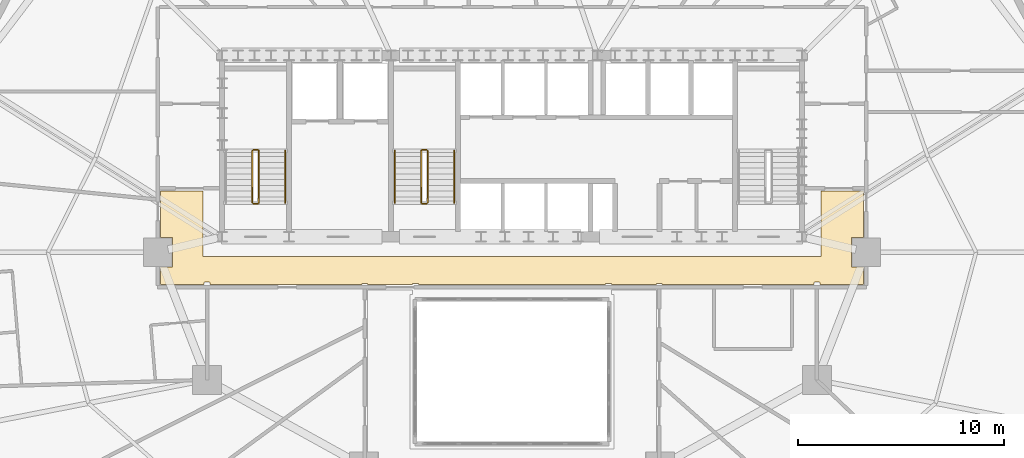
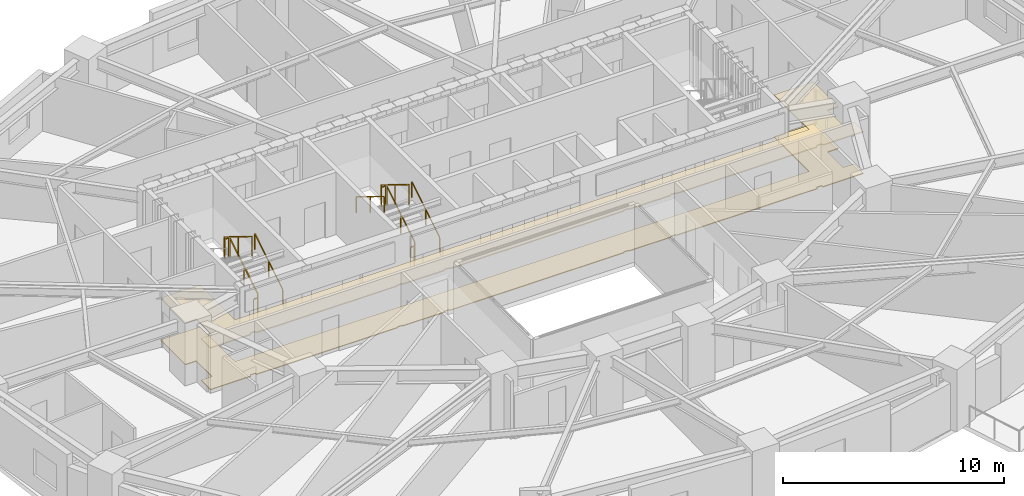
# One storey, part 14 of 15: 11 railings, 2 coverings.
"""IFC4 building model written with IfcOpenShell, lengths in metres."""

import ifcopenshell
import ifcopenshell.guid

model = None  # the IFC model being written
_history = None  # IfcOwnerHistory: only IFC2X3 demands one
_inside = {}  # id of a spatial element -> (the spatial element, [elements in it])
_under = {}  # id of a project, library or spatial element -> (it, [spatial elements below it])
_declared = {}  # id of a project -> (the project, [libraries it declares])
_typed = {}  # id of a type object -> (the type object, [elements of that type])
_made_of = {}  # id of a material, layer set ... -> (it, [elements and type objects made of it])


def new_model(schema):
    """Start an empty IFC model of exactly this schema.

    Asked for "IFC4X3", IfcOpenShell would pick the latest addendum, in which some entities
    have other attributes; the version numbers below select the first issue.
    IFC2X3 requires an IfcOwnerHistory on every rooted entity: one is made here for all.
    """
    global model, _history
    if schema == "IFC4X3":
        model = ifcopenshell.file(schema_version=(4, 3, 0, 0))
    else:
        model = ifcopenshell.file(schema=schema)
    _inside.clear()
    _under.clear()
    _declared.clear()
    _typed.clear()
    _made_of.clear()
    _history = None
    if model.schema == "IFC2X3":
        org = make("IfcOrganization", Name="unknown")
        user = make(
            "IfcPersonAndOrganization",
            ThePerson=make("IfcPerson", FamilyName="unknown"),
            TheOrganization=org,
        )
        app = make(
            "IfcApplication",
            ApplicationDeveloper=org,
            Version="unknown",
            ApplicationFullName="unknown",
            ApplicationIdentifier="unknown",
        )
        _history = make(
            "IfcOwnerHistory",
            OwningUser=user,
            OwningApplication=app,
            ChangeAction="ADDED",
            CreationDate=0,
        )
    return model


def make(cls, **values):
    """One entity of the class cls with the attributes given. An attribute that is None is left unset."""
    return model.create_entity(
        cls, **{name: value for name, value in values.items() if value is not None}
    )


def rooted(cls, **values):
    """An entity with a GlobalId (a new one), such as an element, a storey or a relation."""
    return make(cls, GlobalId=ifcopenshell.guid.new(), OwnerHistory=_history, **values)


def si_unit(unit_type, name, prefix=None):
    """IfcSIUnit, for example si_unit("LENGTHUNIT", "METRE", prefix="MILLI")."""
    return make("IfcSIUnit", UnitType=unit_type, Prefix=prefix, Name=name)


def assignment(units):
    """IfcUnitAssignment: the units of a project."""
    return None if units is None else make("IfcUnitAssignment", Units=units)


def point(xyz):
    """IfcCartesianPoint."""
    return None if xyz is None else make("IfcCartesianPoint", Coordinates=xyz)


def direction(xyz):
    """IfcDirection."""
    return None if xyz is None else make("IfcDirection", DirectionRatios=xyz)


def frame(location, z_axis=None, x_axis=None):
    """IfcAxis2Placement3D, a coordinate frame: its origin and axes. An axis left out is left unset."""
    return make(
        "IfcAxis2Placement3D",
        Location=point(location),
        Axis=direction(z_axis),
        RefDirection=direction(x_axis),
    )


def frame_2d(location, x_axis=None):
    """IfcAxis2Placement2D, a coordinate frame in the plane: its origin and x axis."""
    return make(
        "IfcAxis2Placement2D", Location=point(location), RefDirection=direction(x_axis)
    )


def origin():
    """The frame at (0, 0, 0) with its axes left unset."""
    return frame((0.0, 0.0, 0.0))


def origin_2d():
    """The frame at (0, 0) in the plane with its x axis left unset."""
    return frame_2d((0.0, 0.0))


def place(relative_to, where):
    """IfcLocalPlacement: puts the frame where relative to a parent placement (None: the world)."""
    return make(
        "IfcLocalPlacement", PlacementRelTo=relative_to, RelativePlacement=where
    )


def context(
    kind, dimensions, precision=None, world=None, true_north=None, identifier=None
):
    """IfcGeometricRepresentationContext, for example the 3D "Model" context."""
    return make(
        "IfcGeometricRepresentationContext",
        ContextIdentifier=identifier,
        ContextType=kind,
        CoordinateSpaceDimension=dimensions,
        Precision=precision,
        WorldCoordinateSystem=world,
        TrueNorth=true_north,
    )


def subcontext(parent, identifier, kind, view, scale=None):
    """IfcGeometricRepresentationSubContext, for example "Body" below "Model"."""
    return make(
        "IfcGeometricRepresentationSubContext",
        ContextIdentifier=identifier,
        ContextType=kind,
        ParentContext=parent,
        TargetScale=scale,
        TargetView=view,
    )


def project(units=None, contexts=None):
    """IfcProject with its units and contexts."""
    return rooted(
        "IfcProject",
        Name="project",
        RepresentationContexts=contexts,
        UnitsInContext=assignment(units),
    )


def spatial(cls, under=None, at=None, **own):
    """A site, building, storey or space (cls), placed at a placement, below another one or the project."""
    s = rooted(cls, ObjectPlacement=at, **own)
    if under is not None:
        _under.setdefault(under.id(), (under, []))[1].append(s)
    return s


def polyline(points):
    """IfcPolyline through the points."""
    return make("IfcPolyline", Points=[point(p) for p in points])


def profile(cls, at=None, kind="AREA", **sizes):
    """A parametric profile (cls). Its sizes go by their IFC names, for example OverallWidth=200.0."""
    return make(cls, ProfileType=kind, Position=at, **sizes)


def rectangle(**sizes):
    """IfcRectangleProfileDef."""
    return profile("IfcRectangleProfileDef", **sizes)


def outline(outer, holes=None, kind="AREA"):
    """IfcArbitraryClosedProfileDef: a profile drawn as a closed curve; with holes, ...WithVoids."""
    if holes is None:
        return make("IfcArbitraryClosedProfileDef", ProfileType=kind, OuterCurve=outer)
    return make(
        "IfcArbitraryProfileDefWithVoids",
        ProfileType=kind,
        OuterCurve=outer,
        InnerCurves=holes,
    )


def extrude(swept, where, along, depth):
    """IfcExtrudedAreaSolid: the profile swept, set in the frame where, extruded along a direction by depth."""
    return make(
        "IfcExtrudedAreaSolid",
        SweptArea=swept,
        Position=where,
        ExtrudedDirection=direction(along),
        Depth=depth,
    )


def shape(context_of_items, identifier, shape_type, items):
    """IfcShapeRepresentation: the items that make up one representation, for example the "Body"."""
    return make(
        "IfcShapeRepresentation",
        ContextOfItems=context_of_items,
        RepresentationIdentifier=identifier,
        RepresentationType=shape_type,
        Items=items,
    )


def material(Name=None, Category=None):
    """IfcMaterial."""
    return make("IfcMaterial", Name=Name, Category=Category)


def layer(
    of_material, thickness, ventilated=None, Name=None, Category=None, Priority=None
):
    """IfcMaterialLayer: one layer of a wall or slab, of a material (None: an air gap)."""
    return make(
        "IfcMaterialLayer",
        Material=of_material,
        LayerThickness=thickness,
        IsVentilated=ventilated,
        Name=Name,
        Category=Category,
        Priority=Priority,
    )


def layer_set(layers, Name=None):
    """IfcMaterialLayerSet."""
    return make("IfcMaterialLayerSet", MaterialLayers=layers, LayerSetName=Name)


def made_of(thing, what):
    """Note that an element or type object is made of a material, layer set ...; save() writes the relation."""
    if what is not None:
        _made_of.setdefault(what.id(), (what, []))[1].append(thing)
    return thing


def type_object(cls, material=None, **own):
    """A type object (cls), such as IfcWallType, which elements share."""
    return made_of(rooted(cls, **own), material)


def element(
    cls,
    number,
    at=None,
    inside=None,
    cuts=None,
    type_object=None,
    material=None,
    context=None,
    identifier="Body",
    shape_type=None,
    held_by="IfcProductDefinitionShape",
    body=None,
    shapes=None,
    **own,
):
    """One element of the class cls, such as IfcWall. Its Tag is "e" and its number.

    at: its placement. inside: the storey or other place that contains it. cuts: it is an
    opening in that element (IfcRelVoidsElement). A single representation is given by context,
    identifier, shape_type and body (its items); several are given by shapes. held_by: the class
    of the entity that holds the representations. save() writes the other relations.
    """
    e = rooted(cls, Tag="e%d" % number, ObjectPlacement=at, **own)
    if body is not None:
        shapes = [shape(context, identifier, shape_type, body)]
    if shapes is not None:
        e.Representation = make(held_by, Representations=shapes)
    if inside is not None:
        _inside.setdefault(inside.id(), (inside, []))[1].append(e)
    if cuts is not None:
        rooted(
            "IfcRelVoidsElement", RelatingBuildingElement=cuts, RelatedOpeningElement=e
        )
    if type_object is not None:
        _typed.setdefault(type_object.id(), (type_object, []))[1].append(e)
    return made_of(e, material)


def aggregate(whole, parts):
    """IfcRelAggregates: a whole, such as a stair, and the parts it consists of."""
    return rooted("IfcRelAggregates", RelatingObject=whole, RelatedObjects=parts)


def save(model, path):
    """Write the relations noted so far, then the file.

    IfcRelAggregates (storeys below a building ...), IfcRelContainedInSpatialStructure (elements
    in a storey), IfcRelDefinesByType, IfcRelAssociatesMaterial and IfcRelDeclares: one each for
    every whole, place, type object, material and project.
    """
    for whole, parts in _under.values():
        aggregate(whole, parts)
    for where, things in _inside.values():
        rooted(
            "IfcRelContainedInSpatialStructure",
            RelatedElements=things,
            RelatingStructure=where,
        )
    for kind, things in _typed.values():
        rooted("IfcRelDefinesByType", RelatedObjects=things, RelatingType=kind)
    for what, things in _made_of.values():
        rooted("IfcRelAssociatesMaterial", RelatedObjects=things, RelatingMaterial=what)
    for by, libraries in _declared.values():
        rooted("IfcRelDeclares", RelatingContext=by, RelatedDefinitions=libraries)
    model.write(path)


model = new_model("IFC4")

# Units and contexts
model_context = context("Model", 3, precision=1e-05, world=origin(), true_north=direction((0.0, 1.0)))
body_context = subcontext(model_context, "Body", "Model", "MODEL_VIEW")
ifc_project = project(units=[si_unit("LENGTHUNIT", "METRE"), si_unit("AREAUNIT", "SQUARE_METRE"), si_unit("VOLUMEUNIT", "CUBIC_METRE"), si_unit("PLANEANGLEUNIT", "RADIAN"), si_unit("MASSUNIT", "GRAM", prefix="KILO")], contexts=[model_context])

# Site, building, storey
site_placement = place(None, origin())
site = spatial("IfcSite", under=ifc_project, at=site_placement, CompositionType="ELEMENT")
building_placement = place(site_placement, origin())
building = spatial("IfcBuilding", under=site, at=building_placement, Name="Haldorwick Loom Tower", CompositionType="ELEMENT")
storey_placement = place(building_placement, frame((0.0, 0.0, 92.14990234375)))
storey = spatial("IfcBuildingStorey", under=building, at=storey_placement, Name="L24", CompositionType="ELEMENT", Elevation=92.14990234375)

# Coverings
ifc_material_1 = material(Name="Mineral Fibre Acoustic Ceiling Tile")
ifc_layer_1 = layer(ifc_material_1, 0.054931640625, Name="Mineral Fibre Acoustic Ceiling Tile")
ifc_layer_set_1 = layer_set([ifc_layer_1], Name="Mineral Fibre Acoustic Ceiling Tile")
covering_type_1 = type_object("IfcCoveringType", Name="ARC-COV-CEIL2", PredefinedType="CEILING", material=ifc_layer_set_1)
covering_1_placement = place(storey_placement, frame((0.0, 0.0, 2.302001953125)))
element("IfcCovering", 1, at=covering_1_placement, inside=storey, type_object=covering_type_1, Name="L24 Acoustic Suspended Ceiling 2", PredefinedType="CEILING", context=body_context, shape_type="SweptSolid", body=[
    extrude(outline(polyline([(51.0, 28.9599609375), (51.0, 25.800048828125), (21.0, 25.800048828125), (21.0, 28.9599609375), (18.93994140625, 28.9599609375), (18.93994140625, 26.7080078125), (19.508056640625, 26.7080078125), (19.508056640625, 25.2919921875), (18.93994140625, 25.2919921875), (18.93994140625, 24.43994140625), (21.06005859375, 24.43994140625), (21.06005859375, 24.52001953125), (21.06005859375, 24.52197265625), (21.060302734375, 24.52392578125), (21.060791015625, 24.52587890625), (21.0615234375, 24.527587890625), (21.0625, 24.529296875), (21.0634765625, 24.531005859375), (21.064453125, 24.53271484375), (21.06591796875, 24.5341796875), (21.0673828125, 24.535400390625), (21.06884765625, 24.53662109375), (21.070556640625, 24.53759765625), (21.072265625, 24.53857421875), (21.07421875, 24.5390625), (21.076171875, 24.53955078125), (21.077880859375, 24.539794921875), (21.080078125, 24.5400390625), (21.320068359375, 24.5400390625), (21.322021484375, 24.539794921875), (21.323974609375, 24.53955078125), (21.32568359375, 24.5390625), (21.32763671875, 24.53857421875), (21.329345703125, 24.53759765625), (21.3310546875, 24.53662109375), (21.332763671875, 24.535400390625), (21.333984375, 24.5341796875), (21.33544921875, 24.53271484375), (21.336669921875, 24.531005859375), (21.337646484375, 24.529296875), (21.33837890625, 24.527587890625), (21.339111328125, 24.52587890625), (21.339599609375, 24.52392578125), (21.33984375, 24.52197265625), (21.340087890625, 24.52001953125), (21.340087890625, 24.43994140625), (28.7099609375, 24.43994140625), (28.7099609375, 24.469970703125), (28.710205078125, 24.471923828125), (28.71044921875, 24.473876953125), (28.7109375, 24.475830078125), (28.71142578125, 24.477783203125), (28.71240234375, 24.4794921875), (28.71337890625, 24.481201171875), (28.714599609375, 24.482666015625), (28.7158203125, 24.484130859375), (28.71728515625, 24.485595703125), (28.718994140625, 24.486572265625), (28.720703125, 24.487548828125), (28.722412109375, 24.488525390625), (28.72412109375, 24.489013671875), (28.72607421875, 24.489501953125), (28.72802734375, 24.489990234375), (28.72998046875, 24.489990234375), (28.969970703125, 24.489990234375), (28.971923828125, 24.489990234375), (28.973876953125, 24.489501953125), (28.975830078125, 24.489013671875), (28.977783203125, 24.488525390625), (28.9794921875, 24.487548828125), (28.981201171875, 24.486572265625), (28.982666015625, 24.485595703125), (28.984130859375, 24.484130859375), (28.985595703125, 24.482666015625), (28.986572265625, 24.481201171875), (28.987548828125, 24.4794921875), (28.988525390625, 24.477783203125), (28.989013671875, 24.475830078125), (28.989501953125, 24.473876953125), (28.989990234375, 24.471923828125), (28.989990234375, 24.469970703125), (28.989990234375, 24.43994140625), (31.179931640625, 24.43994140625), (31.179931640625, 24.469970703125), (31.18017578125, 24.471923828125), (31.180419921875, 24.473876953125), (31.180908203125, 24.475830078125), (31.181396484375, 24.477783203125), (31.182373046875, 24.4794921875), (31.183349609375, 24.481201171875), (31.1845703125, 24.482666015625), (31.185791015625, 24.484130859375), (31.187255859375, 24.485595703125), (31.18896484375, 24.486572265625), (31.190673828125, 24.487548828125), (31.1923828125, 24.488525390625), (31.194091796875, 24.489013671875), (31.196044921875, 24.489501953125), (31.197998046875, 24.489990234375), (31.199951171875, 24.489990234375), (31.43994140625, 24.489990234375), (31.44189453125, 24.489990234375), (31.44384765625, 24.489501953125), (31.44580078125, 24.489013671875), (31.44775390625, 24.488525390625), (31.449462890625, 24.487548828125), (31.451171875, 24.486572265625), (31.45263671875, 24.485595703125), (31.4541015625, 24.484130859375), (31.45556640625, 24.482666015625), (31.45654296875, 24.481201171875), (31.45751953125, 24.4794921875), (31.45849609375, 24.477783203125), (31.458984375, 24.475830078125), (31.459716796875, 24.473876953125), (31.4599609375, 24.471923828125), (31.4599609375, 24.469970703125), (31.4599609375, 24.43994140625), (40.5400390625, 24.43994140625), (40.5400390625, 24.469970703125), (40.5400390625, 24.471923828125), (40.540283203125, 24.473876953125), (40.541015625, 24.475830078125), (40.54150390625, 24.477783203125), (40.54248046875, 24.4794921875), (40.54345703125, 24.481201171875), (40.54443359375, 24.482666015625), (40.5458984375, 24.484130859375), (40.54736328125, 24.485595703125), (40.548828125, 24.486572265625), (40.550537109375, 24.487548828125), (40.55224609375, 24.488525390625), (40.55419921875, 24.489013671875), (40.55615234375, 24.489501953125), (40.55810546875, 24.489990234375), (40.56005859375, 24.489990234375), (40.800048828125, 24.489990234375), (40.802001953125, 24.489990234375), (40.803955078125, 24.489501953125), (40.805908203125, 24.489013671875), (40.8076171875, 24.488525390625), (40.809326171875, 24.487548828125), (40.81103515625, 24.486572265625), (40.812744140625, 24.485595703125), (40.814208984375, 24.484130859375), (40.8154296875, 24.482666015625), (40.816650390625, 24.481201171875), (40.817626953125, 24.4794921875), (40.818603515625, 24.477783203125), (40.819091796875, 24.475830078125), (40.819580078125, 24.473876953125), (40.81982421875, 24.471923828125), (40.820068359375, 24.469970703125), (40.820068359375, 24.43994140625), (43.010009765625, 24.43994140625), (43.010009765625, 24.469970703125), (43.010009765625, 24.471923828125), (43.010498046875, 24.473876953125), (43.010986328125, 24.475830078125), (43.011474609375, 24.477783203125), (43.012451171875, 24.4794921875), (43.013427734375, 24.481201171875), (43.014404296875, 24.482666015625), (43.015869140625, 24.484130859375), (43.017333984375, 24.485595703125), (43.018798828125, 24.486572265625), (43.0205078125, 24.487548828125), (43.022216796875, 24.488525390625), (43.024169921875, 24.489013671875), (43.026123046875, 24.489501953125), (43.028076171875, 24.489990234375), (43.030029296875, 24.489990234375), (43.27001953125, 24.489990234375), (43.27197265625, 24.489990234375), (43.27392578125, 24.489501953125), (43.27587890625, 24.489013671875), (43.277587890625, 24.488525390625), (43.279296875, 24.487548828125), (43.281005859375, 24.486572265625), (43.28271484375, 24.485595703125), (43.2841796875, 24.484130859375), (43.285400390625, 24.482666015625), (43.28662109375, 24.481201171875), (43.28759765625, 24.4794921875), (43.28857421875, 24.477783203125), (43.2890625, 24.475830078125), (43.28955078125, 24.473876953125), (43.289794921875, 24.471923828125), (43.2900390625, 24.469970703125), (43.2900390625, 24.43994140625), (50.659912109375, 24.43994140625), (50.659912109375, 24.52001953125), (50.66015625, 24.52197265625), (50.660400390625, 24.52392578125), (50.660888671875, 24.52587890625), (50.66162109375, 24.527587890625), (50.662353515625, 24.529296875), (50.663330078125, 24.531005859375), (50.66455078125, 24.53271484375), (50.666015625, 24.5341796875), (50.667236328125, 24.535400390625), (50.6689453125, 24.53662109375), (50.670654296875, 24.53759765625), (50.67236328125, 24.53857421875), (50.67431640625, 24.5390625), (50.676025390625, 24.53955078125), (50.677978515625, 24.539794921875), (50.679931640625, 24.5400390625), (50.919921875, 24.5400390625), (50.922119140625, 24.539794921875), (50.923828125, 24.53955078125), (50.92578125, 24.5390625), (50.927734375, 24.53857421875), (50.929443359375, 24.53759765625), (50.93115234375, 24.53662109375), (50.9326171875, 24.535400390625), (50.93408203125, 24.5341796875), (50.935546875, 24.53271484375), (50.9365234375, 24.531005859375), (50.9375, 24.529296875), (50.9384765625, 24.527587890625), (50.939208984375, 24.52587890625), (50.939697265625, 24.52392578125), (50.93994140625, 24.52197265625), (50.93994140625, 24.52001953125), (50.93994140625, 24.43994140625), (53.06005859375, 24.43994140625), (53.06005859375, 25.2919921875), (52.491943359375, 25.2919921875), (52.491943359375, 26.7080078125), (53.06005859375, 26.7080078125), (53.06005859375, 28.9599609375), (51.0, 28.9599609375)])), origin(), (0.0, 0.0, 1.0), 0.05517578125),
])
ifc_material_2 = material(Name="Polished Aggregate Terrazzo Finish")
ifc_layer_2 = layer(ifc_material_2, 0.044921875, Name="Polished Aggregate Terrazzo Finish")
ifc_layer_set_2 = layer_set([ifc_layer_2], Name="Polished Aggregate Terrazzo Finish")
covering_type_2 = type_object("IfcCoveringType", Name="ARC-COV-FLOOR2", PredefinedType="FLOORING", material=ifc_layer_set_2)
covering_2_placement = place(storey_placement, origin())
element("IfcCovering", 2, at=covering_2_placement, inside=storey, type_object=covering_type_2, Name="L24 Floor Finish 2", PredefinedType="FLOORING", context=body_context, shape_type="SweptSolid", body=[
    extrude(outline(polyline([(51.0, 28.9599609375), (51.0, 25.800048828125), (21.0, 25.800048828125), (21.0, 28.9599609375), (18.93994140625, 28.9599609375), (18.93994140625, 26.7080078125), (19.508056640625, 26.7080078125), (19.508056640625, 25.2919921875), (18.93994140625, 25.2919921875), (18.93994140625, 24.43994140625), (21.06005859375, 24.43994140625), (21.06005859375, 24.52001953125), (21.06005859375, 24.52197265625), (21.060302734375, 24.52392578125), (21.060791015625, 24.52587890625), (21.0615234375, 24.527587890625), (21.0625, 24.529296875), (21.0634765625, 24.531005859375), (21.064453125, 24.53271484375), (21.06591796875, 24.5341796875), (21.0673828125, 24.535400390625), (21.06884765625, 24.53662109375), (21.070556640625, 24.53759765625), (21.072265625, 24.53857421875), (21.07421875, 24.5390625), (21.076171875, 24.53955078125), (21.077880859375, 24.539794921875), (21.080078125, 24.5400390625), (21.320068359375, 24.5400390625), (21.322021484375, 24.539794921875), (21.323974609375, 24.53955078125), (21.32568359375, 24.5390625), (21.32763671875, 24.53857421875), (21.329345703125, 24.53759765625), (21.3310546875, 24.53662109375), (21.332763671875, 24.535400390625), (21.333984375, 24.5341796875), (21.33544921875, 24.53271484375), (21.336669921875, 24.531005859375), (21.337646484375, 24.529296875), (21.33837890625, 24.527587890625), (21.339111328125, 24.52587890625), (21.339599609375, 24.52392578125), (21.33984375, 24.52197265625), (21.340087890625, 24.52001953125), (21.340087890625, 24.43994140625), (28.7099609375, 24.43994140625), (28.7099609375, 24.469970703125), (28.710205078125, 24.471923828125), (28.71044921875, 24.473876953125), (28.7109375, 24.475830078125), (28.71142578125, 24.477783203125), (28.71240234375, 24.4794921875), (28.71337890625, 24.481201171875), (28.714599609375, 24.482666015625), (28.7158203125, 24.484130859375), (28.71728515625, 24.485595703125), (28.718994140625, 24.486572265625), (28.720703125, 24.487548828125), (28.722412109375, 24.488525390625), (28.72412109375, 24.489013671875), (28.72607421875, 24.489501953125), (28.72802734375, 24.489990234375), (28.72998046875, 24.489990234375), (28.969970703125, 24.489990234375), (28.971923828125, 24.489990234375), (28.973876953125, 24.489501953125), (28.975830078125, 24.489013671875), (28.977783203125, 24.488525390625), (28.9794921875, 24.487548828125), (28.981201171875, 24.486572265625), (28.982666015625, 24.485595703125), (28.984130859375, 24.484130859375), (28.985595703125, 24.482666015625), (28.986572265625, 24.481201171875), (28.987548828125, 24.4794921875), (28.988525390625, 24.477783203125), (28.989013671875, 24.475830078125), (28.989501953125, 24.473876953125), (28.989990234375, 24.471923828125), (28.989990234375, 24.469970703125), (28.989990234375, 24.43994140625), (31.179931640625, 24.43994140625), (31.179931640625, 24.469970703125), (31.18017578125, 24.471923828125), (31.180419921875, 24.473876953125), (31.180908203125, 24.475830078125), (31.181396484375, 24.477783203125), (31.182373046875, 24.4794921875), (31.183349609375, 24.481201171875), (31.1845703125, 24.482666015625), (31.185791015625, 24.484130859375), (31.187255859375, 24.485595703125), (31.18896484375, 24.486572265625), (31.190673828125, 24.487548828125), (31.1923828125, 24.488525390625), (31.194091796875, 24.489013671875), (31.196044921875, 24.489501953125), (31.197998046875, 24.489990234375), (31.199951171875, 24.489990234375), (31.43994140625, 24.489990234375), (31.44189453125, 24.489990234375), (31.44384765625, 24.489501953125), (31.44580078125, 24.489013671875), (31.44775390625, 24.488525390625), (31.449462890625, 24.487548828125), (31.451171875, 24.486572265625), (31.45263671875, 24.485595703125), (31.4541015625, 24.484130859375), (31.45556640625, 24.482666015625), (31.45654296875, 24.481201171875), (31.45751953125, 24.4794921875), (31.45849609375, 24.477783203125), (31.458984375, 24.475830078125), (31.459716796875, 24.473876953125), (31.4599609375, 24.471923828125), (31.4599609375, 24.469970703125), (31.4599609375, 24.43994140625), (40.5400390625, 24.43994140625), (40.5400390625, 24.469970703125), (40.5400390625, 24.471923828125), (40.540283203125, 24.473876953125), (40.541015625, 24.475830078125), (40.54150390625, 24.477783203125), (40.54248046875, 24.4794921875), (40.54345703125, 24.481201171875), (40.54443359375, 24.482666015625), (40.5458984375, 24.484130859375), (40.54736328125, 24.485595703125), (40.548828125, 24.486572265625), (40.550537109375, 24.487548828125), (40.55224609375, 24.488525390625), (40.55419921875, 24.489013671875), (40.55615234375, 24.489501953125), (40.55810546875, 24.489990234375), (40.56005859375, 24.489990234375), (40.800048828125, 24.489990234375), (40.802001953125, 24.489990234375), (40.803955078125, 24.489501953125), (40.805908203125, 24.489013671875), (40.8076171875, 24.488525390625), (40.809326171875, 24.487548828125), (40.81103515625, 24.486572265625), (40.812744140625, 24.485595703125), (40.814208984375, 24.484130859375), (40.8154296875, 24.482666015625), (40.816650390625, 24.481201171875), (40.817626953125, 24.4794921875), (40.818603515625, 24.477783203125), (40.819091796875, 24.475830078125), (40.819580078125, 24.473876953125), (40.81982421875, 24.471923828125), (40.820068359375, 24.469970703125), (40.820068359375, 24.43994140625), (43.010009765625, 24.43994140625), (43.010009765625, 24.469970703125), (43.010009765625, 24.471923828125), (43.010498046875, 24.473876953125), (43.010986328125, 24.475830078125), (43.011474609375, 24.477783203125), (43.012451171875, 24.4794921875), (43.013427734375, 24.481201171875), (43.014404296875, 24.482666015625), (43.015869140625, 24.484130859375), (43.017333984375, 24.485595703125), (43.018798828125, 24.486572265625), (43.0205078125, 24.487548828125), (43.022216796875, 24.488525390625), (43.024169921875, 24.489013671875), (43.026123046875, 24.489501953125), (43.028076171875, 24.489990234375), (43.030029296875, 24.489990234375), (43.27001953125, 24.489990234375), (43.27197265625, 24.489990234375), (43.27392578125, 24.489501953125), (43.27587890625, 24.489013671875), (43.277587890625, 24.488525390625), (43.279296875, 24.487548828125), (43.281005859375, 24.486572265625), (43.28271484375, 24.485595703125), (43.2841796875, 24.484130859375), (43.285400390625, 24.482666015625), (43.28662109375, 24.481201171875), (43.28759765625, 24.4794921875), (43.28857421875, 24.477783203125), (43.2890625, 24.475830078125), (43.28955078125, 24.473876953125), (43.289794921875, 24.471923828125), (43.2900390625, 24.469970703125), (43.2900390625, 24.43994140625), (50.659912109375, 24.43994140625), (50.659912109375, 24.52001953125), (50.66015625, 24.52197265625), (50.660400390625, 24.52392578125), (50.660888671875, 24.52587890625), (50.66162109375, 24.527587890625), (50.662353515625, 24.529296875), (50.663330078125, 24.531005859375), (50.66455078125, 24.53271484375), (50.666015625, 24.5341796875), (50.667236328125, 24.535400390625), (50.6689453125, 24.53662109375), (50.670654296875, 24.53759765625), (50.67236328125, 24.53857421875), (50.67431640625, 24.5390625), (50.676025390625, 24.53955078125), (50.677978515625, 24.539794921875), (50.679931640625, 24.5400390625), (50.919921875, 24.5400390625), (50.922119140625, 24.539794921875), (50.923828125, 24.53955078125), (50.92578125, 24.5390625), (50.927734375, 24.53857421875), (50.929443359375, 24.53759765625), (50.93115234375, 24.53662109375), (50.9326171875, 24.535400390625), (50.93408203125, 24.5341796875), (50.935546875, 24.53271484375), (50.9365234375, 24.531005859375), (50.9375, 24.529296875), (50.9384765625, 24.527587890625), (50.939208984375, 24.52587890625), (50.939697265625, 24.52392578125), (50.93994140625, 24.52197265625), (50.93994140625, 24.52001953125), (50.93994140625, 24.43994140625), (53.06005859375, 24.43994140625), (53.06005859375, 25.2919921875), (52.491943359375, 25.2919921875), (52.491943359375, 26.7080078125), (53.06005859375, 26.7080078125), (53.06005859375, 28.9599609375), (51.0, 28.9599609375)])), origin(), (0.0, 0.0, 1.0), 0.045166015625),
])

# Railings
ifc_material_3 = material(Name="Steel CSA G40.21 350W", Category="steel")
railing_type_1 = type_object("IfcRailingType", Name="ARC-RLG-GUARD112", PredefinedType="GUARDRAIL", material=ifc_material_3)
railing_1_placement = place(storey_placement, frame((23.699951171875, 28.39990234375, 0.172607421875)))
element("IfcRailing", 3, at=railing_1_placement, inside=storey, type_object=railing_type_1, Name="L24 ST-01 stair guard 1", PredefinedType="GUARDRAIL", context=body_context, shape_type="SweptSolid", body=[
    extrude(rectangle(XDim=0.048095703125, YDim=0.048095703125, at=origin_2d()), frame((0.0, 0.0, 1.076171875), z_axis=(0.0, 0.851400495292, 0.524516154772), x_axis=(-1.0, 0.0, 0.0)), (0.0, 0.0, 1.0), 2.9599609375),
    extrude(rectangle(XDim=0.0419921875, YDim=0.0419921875, at=origin_2d()), origin(), (0.0, 0.0, 1.0), 1.052001953125),
    extrude(rectangle(XDim=0.0419921875, YDim=0.0419921875, at=origin_2d()), frame((0.0, 1.260009765625, 0.7763671875)), (0.0, 0.0, 1.0), 1.052001953125),
    extrude(rectangle(XDim=0.0419921875, YDim=0.0419921875, at=origin_2d()), frame((0.0, 2.52001953125, 1.552490234375)), (0.0, 0.0, 1.0), 1.052001953125),
])
railing_2_placement = place(storey_placement, frame((23.64990234375, 30.969970703125, 1.72509765625)))
element("IfcRailing", 4, at=railing_2_placement, inside=storey, type_object=railing_type_1, Name="L24 ST-01 stair guard 2", PredefinedType="GUARDRAIL", context=body_context, shape_type="SweptSolid", body=[
    extrude(rectangle(XDim=0.048095703125, YDim=0.048095703125, at=origin_2d()), frame((0.0, 0.0, 1.076171875), z_axis=(-1.0, 0.0, 0.0), x_axis=(0.0, -1.0, 0.0)), (0.0, 0.0, 1.0), 0.199951171875),
    extrude(rectangle(XDim=0.0419921875, YDim=0.0419921875, at=origin_2d()), origin(), (0.0, 0.0, 1.0), 1.052001953125),
    extrude(rectangle(XDim=0.0419921875, YDim=0.0419921875, at=origin_2d()), frame((-0.199951171875, 0.0, 0.0)), (0.0, 0.0, 1.0), 1.052001953125),
])
railing_3_placement = place(storey_placement, frame((23.39990234375, 30.919921875, 1.897705078125)))
element("IfcRailing", 5, at=railing_3_placement, inside=storey, type_object=railing_type_1, Name="L24 ST-01 stair guard 3", PredefinedType="GUARDRAIL", context=body_context, shape_type="SweptSolid", body=[
    extrude(rectangle(XDim=0.048095703125, YDim=0.048095703125, at=origin_2d()), frame((0.0, 0.0, 1.076171875), z_axis=(0.0, -0.851400495292, 0.524516154772), x_axis=(1.0, 0.0, 0.0)), (0.0, 0.0, 1.0), 2.9599609375),
    extrude(rectangle(XDim=0.0419921875, YDim=0.0419921875, at=origin_2d()), origin(), (0.0, 0.0, 1.0), 1.052001953125),
    extrude(rectangle(XDim=0.0419921875, YDim=0.0419921875, at=origin_2d()), frame((0.0, -1.260009765625, 0.7763671875)), (0.0, 0.0, 1.0), 1.052001953125),
    extrude(rectangle(XDim=0.0419921875, YDim=0.0419921875, at=origin_2d()), frame((0.0, -2.52001953125, 1.552490234375)), (0.0, 0.0, 1.0), 1.052001953125),
])
railing_4_placement = place(storey_placement, frame((23.64990234375, 28.35009765625, 0.0)))
element("IfcRailing", 6, at=railing_4_placement, inside=storey, type_object=railing_type_1, Name="L24 ST-01 stair guard 4", PredefinedType="GUARDRAIL", context=body_context, shape_type="SweptSolid", body=[
    extrude(rectangle(XDim=0.048095703125, YDim=0.048095703125, at=origin_2d()), frame((0.0, 0.0, 1.076171875), z_axis=(-1.0, 0.0, 0.0), x_axis=(0.0, -1.0, 0.0)), (0.0, 0.0, 1.0), 0.199951171875),
    extrude(rectangle(XDim=0.0419921875, YDim=0.0419921875, at=origin_2d()), origin(), (0.0, 0.0, 1.0), 1.052001953125),
    extrude(rectangle(XDim=0.0419921875, YDim=0.0419921875, at=origin_2d()), frame((-0.199951171875, 0.0, 0.0)), (0.0, 0.0, 1.0), 1.052001953125),
])
railing_5_placement = place(storey_placement, frame((31.89990234375, 28.39990234375, 0.172607421875)))
element("IfcRailing", 7, at=railing_5_placement, inside=storey, type_object=railing_type_1, Name="L24 ST-03 stair guard 1", PredefinedType="GUARDRAIL", context=body_context, shape_type="SweptSolid", body=[
    extrude(rectangle(XDim=0.048095703125, YDim=0.048095703125, at=origin_2d()), frame((0.0, 0.0, 1.076171875), z_axis=(0.0, 0.851400495292, 0.524516154772), x_axis=(-1.0, 0.0, 0.0)), (0.0, 0.0, 1.0), 2.9599609375),
    extrude(rectangle(XDim=0.0419921875, YDim=0.0419921875, at=origin_2d()), origin(), (0.0, 0.0, 1.0), 1.052001953125),
    extrude(rectangle(XDim=0.0419921875, YDim=0.0419921875, at=origin_2d()), frame((0.0, 1.260009765625, 0.7763671875)), (0.0, 0.0, 1.0), 1.052001953125),
    extrude(rectangle(XDim=0.0419921875, YDim=0.0419921875, at=origin_2d()), frame((0.0, 2.52001953125, 1.552490234375)), (0.0, 0.0, 1.0), 1.052001953125),
])
railing_6_placement = place(storey_placement, frame((31.85009765625, 30.969970703125, 1.72509765625)))
element("IfcRailing", 8, at=railing_6_placement, inside=storey, type_object=railing_type_1, Name="L24 ST-03 stair guard 2", PredefinedType="GUARDRAIL", context=body_context, shape_type="SweptSolid", body=[
    extrude(rectangle(XDim=0.048095703125, YDim=0.048095703125, at=origin_2d()), frame((0.0, 0.0, 1.076171875), z_axis=(-1.0, 0.0, 0.0), x_axis=(0.0, -1.0, 0.0)), (0.0, 0.0, 1.0), 0.2001953125),
    extrude(rectangle(XDim=0.0419921875, YDim=0.0419921875, at=origin_2d()), origin(), (0.0, 0.0, 1.0), 1.052001953125),
    extrude(rectangle(XDim=0.0419921875, YDim=0.0419921875, at=origin_2d()), frame((-0.2001953125, 0.0, 0.0)), (0.0, 0.0, 1.0), 1.052001953125),
])
railing_7_placement = place(storey_placement, frame((31.60009765625, 30.919921875, 1.897705078125)))
element("IfcRailing", 9, at=railing_7_placement, inside=storey, type_object=railing_type_1, Name="L24 ST-03 stair guard 3", PredefinedType="GUARDRAIL", context=body_context, shape_type="SweptSolid", body=[
    extrude(rectangle(XDim=0.048095703125, YDim=0.048095703125, at=origin_2d()), frame((0.0, 0.0, 1.076171875), z_axis=(0.0, -0.851400495292, 0.524516154772), x_axis=(1.0, 0.0, 0.0)), (0.0, 0.0, 1.0), 2.9599609375),
    extrude(rectangle(XDim=0.0419921875, YDim=0.0419921875, at=origin_2d()), origin(), (0.0, 0.0, 1.0), 1.052001953125),
    extrude(rectangle(XDim=0.0419921875, YDim=0.0419921875, at=origin_2d()), frame((0.0, -1.260009765625, 0.7763671875)), (0.0, 0.0, 1.0), 1.052001953125),
    extrude(rectangle(XDim=0.0419921875, YDim=0.0419921875, at=origin_2d()), frame((0.0, -2.52001953125, 1.552490234375)), (0.0, 0.0, 1.0), 1.052001953125),
])
railing_8_placement = place(storey_placement, frame((31.85009765625, 28.35009765625, 0.0)))
element("IfcRailing", 10, at=railing_8_placement, inside=storey, type_object=railing_type_1, Name="L24 ST-03 stair guard 4", PredefinedType="GUARDRAIL", context=body_context, shape_type="SweptSolid", body=[
    extrude(rectangle(XDim=0.048095703125, YDim=0.048095703125, at=origin_2d()), frame((0.0, 0.0, 1.076171875), z_axis=(-1.0, 0.0, 0.0), x_axis=(0.0, -1.0, 0.0)), (0.0, 0.0, 1.0), 0.2001953125),
    extrude(rectangle(XDim=0.0419921875, YDim=0.0419921875, at=origin_2d()), origin(), (0.0, 0.0, 1.0), 1.052001953125),
    extrude(rectangle(XDim=0.0419921875, YDim=0.0419921875, at=origin_2d()), frame((-0.2001953125, 0.0, 0.0)), (0.0, 0.0, 1.0), 1.052001953125),
])
railing_type_2 = type_object("IfcRailingType", Name="ARC-RLG-HAND092", PredefinedType="HANDRAIL", material=ifc_material_3)
for number, where, name in (
    (11, (25.0, 28.39990234375, 0.172607421875), "L24 ST-01 stair handrail 1"),
    (12, (33.199951171875, 28.39990234375, 0.172607421875), "L24 ST-03 stair handrail 1"),
):
    element("IfcRailing", number, at=place(storey_placement, frame(where)), inside=storey, type_object=railing_type_2, Name=name, PredefinedType="HANDRAIL", context=body_context, shape_type="SweptSolid", body=[
        extrude(rectangle(XDim=0.048095703125, YDim=0.048095703125, at=origin_2d()), frame((0.0, 0.0, 0.8759765625), z_axis=(0.0, 0.851400495292, 0.524516154772), x_axis=(-1.0, 0.0, 0.0)), (0.0, 0.0, 1.0), 2.9599609375),
        extrude(rectangle(XDim=0.0419921875, YDim=0.0419921875, at=origin_2d()), origin(), (0.0, 0.0, 1.0), 0.851806640625),
        extrude(rectangle(XDim=0.0419921875, YDim=0.0419921875, at=origin_2d()), frame((0.0, 1.260009765625, 0.7763671875)), (0.0, 0.0, 1.0), 0.851806640625),
        extrude(rectangle(XDim=0.0419921875, YDim=0.0419921875, at=origin_2d()), frame((0.0, 2.52001953125, 1.552490234375)), (0.0, 0.0, 1.0), 0.851806640625),
    ])
railing_9_placement = place(storey_placement, frame((30.300048828125, 30.919921875, 1.897705078125)))
element("IfcRailing", 13, at=railing_9_placement, inside=storey, type_object=railing_type_2, Name="L24 ST-03 stair handrail 2", PredefinedType="HANDRAIL", context=body_context, shape_type="SweptSolid", body=[
    extrude(rectangle(XDim=0.048095703125, YDim=0.048095703125, at=origin_2d()), frame((0.0, 0.0, 0.8759765625), z_axis=(0.0, -0.851400495292, 0.524516154772), x_axis=(1.0, 0.0, 0.0)), (0.0, 0.0, 1.0), 2.9599609375),
    extrude(rectangle(XDim=0.0419921875, YDim=0.0419921875, at=origin_2d()), origin(), (0.0, 0.0, 1.0), 0.851806640625),
    extrude(rectangle(XDim=0.0419921875, YDim=0.0419921875, at=origin_2d()), frame((0.0, -1.260009765625, 0.7763671875)), (0.0, 0.0, 1.0), 0.851806640625),
    extrude(rectangle(XDim=0.0419921875, YDim=0.0419921875, at=origin_2d()), frame((0.0, -2.52001953125, 1.552490234375)), (0.0, 0.0, 1.0), 0.851806640625),
])

save(model, "model.ifc")
